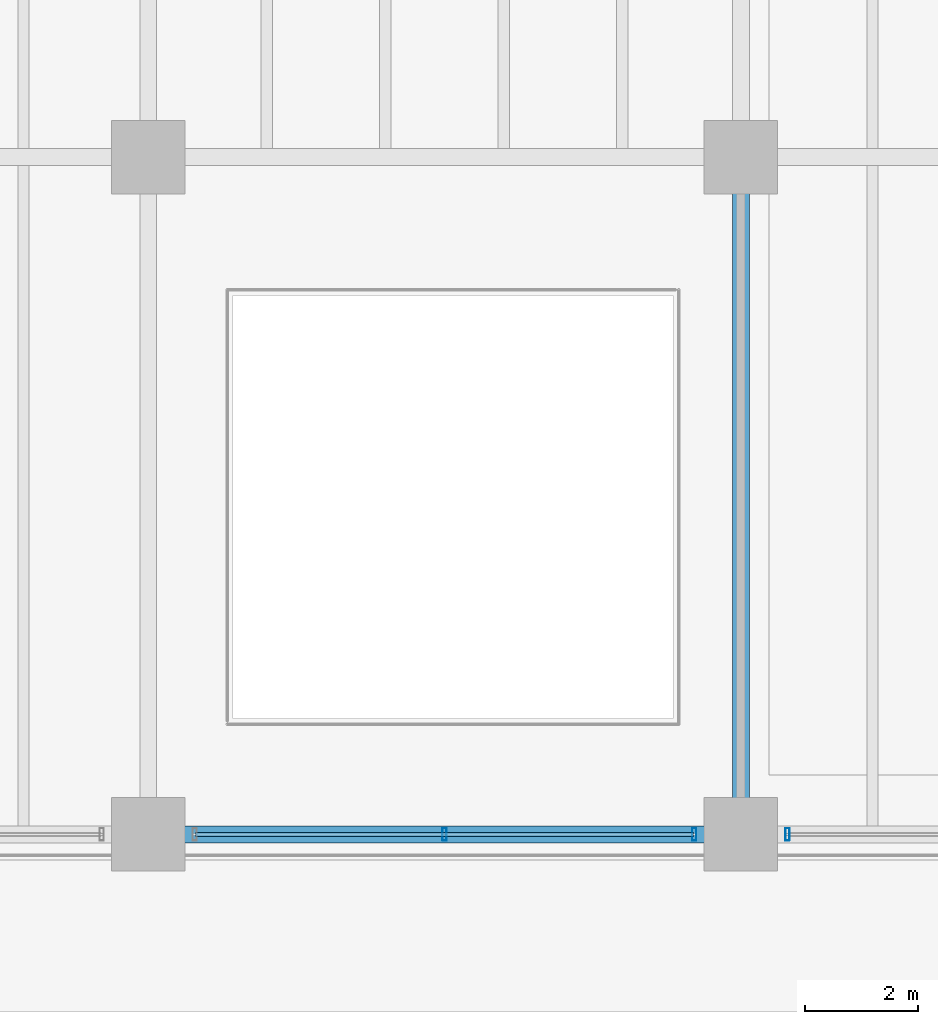
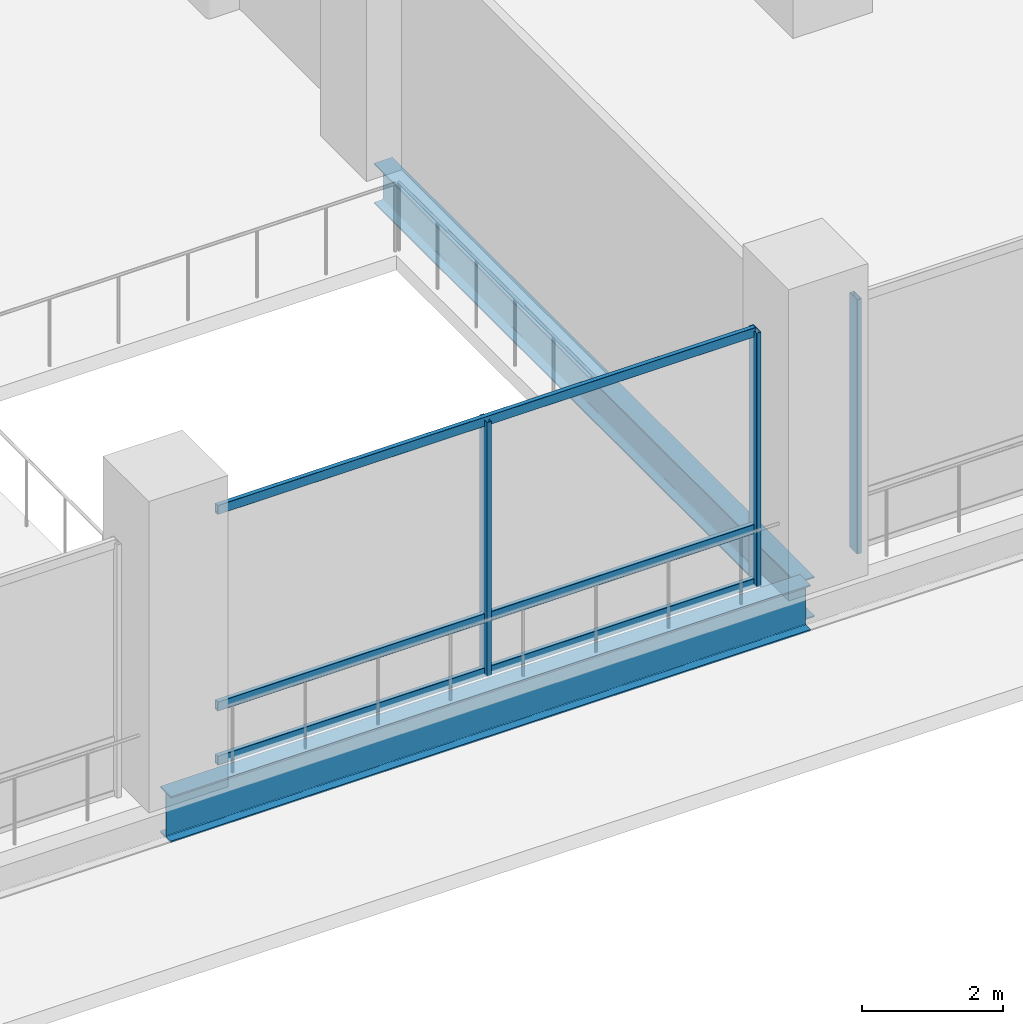
# One storey, part 5 of 32: 6 members, 2 beams, 2 elements without a shape of their own.
"""IFC4 building model written with IfcOpenShell, lengths in metres."""

import ifcopenshell
import ifcopenshell.guid

model = None  # the IFC model being written
_history = None  # IfcOwnerHistory: only IFC2X3 demands one
_inside = {}  # id of a spatial element -> (the spatial element, [elements in it])
_under = {}  # id of a project, library or spatial element -> (it, [spatial elements below it])
_declared = {}  # id of a project -> (the project, [libraries it declares])
_typed = {}  # id of a type object -> (the type object, [elements of that type])
_made_of = {}  # id of a material, layer set ... -> (it, [elements and type objects made of it])


def new_model(schema):
    """Start an empty IFC model of exactly this schema.

    Asked for "IFC4X3", IfcOpenShell would pick the latest addendum, in which some entities
    have other attributes; the version numbers below select the first issue.
    IFC2X3 requires an IfcOwnerHistory on every rooted entity: one is made here for all.
    """
    global model, _history
    if schema == "IFC4X3":
        model = ifcopenshell.file(schema_version=(4, 3, 0, 0))
    else:
        model = ifcopenshell.file(schema=schema)
    _inside.clear()
    _under.clear()
    _declared.clear()
    _typed.clear()
    _made_of.clear()
    _history = None
    if model.schema == "IFC2X3":
        org = make("IfcOrganization", Name="unknown")
        user = make(
            "IfcPersonAndOrganization",
            ThePerson=make("IfcPerson", FamilyName="unknown"),
            TheOrganization=org,
        )
        app = make(
            "IfcApplication",
            ApplicationDeveloper=org,
            Version="unknown",
            ApplicationFullName="unknown",
            ApplicationIdentifier="unknown",
        )
        _history = make(
            "IfcOwnerHistory",
            OwningUser=user,
            OwningApplication=app,
            ChangeAction="ADDED",
            CreationDate=0,
        )
    return model


def make(cls, **values):
    """One entity of the class cls with the attributes given. An attribute that is None is left unset."""
    return model.create_entity(
        cls, **{name: value for name, value in values.items() if value is not None}
    )


def rooted(cls, **values):
    """An entity with a GlobalId (a new one), such as an element, a storey or a relation."""
    return make(cls, GlobalId=ifcopenshell.guid.new(), OwnerHistory=_history, **values)


def si_unit(unit_type, name, prefix=None):
    """IfcSIUnit, for example si_unit("LENGTHUNIT", "METRE", prefix="MILLI")."""
    return make("IfcSIUnit", UnitType=unit_type, Prefix=prefix, Name=name)


def assignment(units):
    """IfcUnitAssignment: the units of a project."""
    return None if units is None else make("IfcUnitAssignment", Units=units)


def point(xyz):
    """IfcCartesianPoint."""
    return None if xyz is None else make("IfcCartesianPoint", Coordinates=xyz)


def direction(xyz):
    """IfcDirection."""
    return None if xyz is None else make("IfcDirection", DirectionRatios=xyz)


def frame(location, z_axis=None, x_axis=None):
    """IfcAxis2Placement3D, a coordinate frame: its origin and axes. An axis left out is left unset."""
    return make(
        "IfcAxis2Placement3D",
        Location=point(location),
        Axis=direction(z_axis),
        RefDirection=direction(x_axis),
    )


def frame_2d(location, x_axis=None):
    """IfcAxis2Placement2D, a coordinate frame in the plane: its origin and x axis."""
    return make(
        "IfcAxis2Placement2D", Location=point(location), RefDirection=direction(x_axis)
    )


def origin():
    """The frame at (0, 0, 0) with its axes left unset."""
    return frame((0.0, 0.0, 0.0))


def origin_2d():
    """The frame at (0, 0) in the plane with its x axis left unset."""
    return frame_2d((0.0, 0.0))


def place(relative_to, where):
    """IfcLocalPlacement: puts the frame where relative to a parent placement (None: the world)."""
    return make(
        "IfcLocalPlacement", PlacementRelTo=relative_to, RelativePlacement=where
    )


def context(
    kind, dimensions, precision=None, world=None, true_north=None, identifier=None
):
    """IfcGeometricRepresentationContext, for example the 3D "Model" context."""
    return make(
        "IfcGeometricRepresentationContext",
        ContextIdentifier=identifier,
        ContextType=kind,
        CoordinateSpaceDimension=dimensions,
        Precision=precision,
        WorldCoordinateSystem=world,
        TrueNorth=true_north,
    )


def subcontext(parent, identifier, kind, view, scale=None):
    """IfcGeometricRepresentationSubContext, for example "Body" below "Model"."""
    return make(
        "IfcGeometricRepresentationSubContext",
        ContextIdentifier=identifier,
        ContextType=kind,
        ParentContext=parent,
        TargetScale=scale,
        TargetView=view,
    )


def project(units=None, contexts=None):
    """IfcProject with its units and contexts."""
    return rooted(
        "IfcProject",
        Name="project",
        RepresentationContexts=contexts,
        UnitsInContext=assignment(units),
    )


def spatial(cls, under=None, at=None, **own):
    """A site, building, storey or space (cls), placed at a placement, below another one or the project."""
    s = rooted(cls, ObjectPlacement=at, **own)
    if under is not None:
        _under.setdefault(under.id(), (under, []))[1].append(s)
    return s


def profile(cls, at=None, kind="AREA", **sizes):
    """A parametric profile (cls). Its sizes go by their IFC names, for example OverallWidth=200.0."""
    return make(cls, ProfileType=kind, Position=at, **sizes)


def hollow_rectangle(**sizes):
    """IfcRectangleHollowProfileDef."""
    return profile("IfcRectangleHollowProfileDef", **sizes)


def i_section(**sizes):
    """IfcIShapeProfileDef."""
    return profile("IfcIShapeProfileDef", **sizes)


def extrude(swept, where, along, depth):
    """IfcExtrudedAreaSolid: the profile swept, set in the frame where, extruded along a direction by depth."""
    return make(
        "IfcExtrudedAreaSolid",
        SweptArea=swept,
        Position=where,
        ExtrudedDirection=direction(along),
        Depth=depth,
    )


def shape(context_of_items, identifier, shape_type, items):
    """IfcShapeRepresentation: the items that make up one representation, for example the "Body"."""
    return make(
        "IfcShapeRepresentation",
        ContextOfItems=context_of_items,
        RepresentationIdentifier=identifier,
        RepresentationType=shape_type,
        Items=items,
    )


def material(Name=None, Category=None):
    """IfcMaterial."""
    return make("IfcMaterial", Name=Name, Category=Category)


def material_profile(
    of_material, cross_section, Name=None, Category=None, Priority=None
):
    """IfcMaterialProfile: a cross section and its material."""
    return make(
        "IfcMaterialProfile",
        Name=Name,
        Material=of_material,
        Profile=cross_section,
        Priority=Priority,
        Category=Category,
    )


def profile_set(profiles, Name=None, composite=None):
    """IfcMaterialProfileSet."""
    return make(
        "IfcMaterialProfileSet",
        Name=Name,
        MaterialProfiles=profiles,
        CompositeProfile=composite,
    )


def made_of(thing, what):
    """Note that an element or type object is made of a material, layer set ...; save() writes the relation."""
    if what is not None:
        _made_of.setdefault(what.id(), (what, []))[1].append(thing)
    return thing


def type_object(cls, material=None, **own):
    """A type object (cls), such as IfcWallType, which elements share."""
    return made_of(rooted(cls, **own), material)


def element(
    cls,
    number,
    at=None,
    inside=None,
    cuts=None,
    type_object=None,
    material=None,
    context=None,
    identifier="Body",
    shape_type=None,
    held_by="IfcProductDefinitionShape",
    body=None,
    shapes=None,
    **own,
):
    """One element of the class cls, such as IfcWall. Its Tag is "e" and its number.

    at: its placement. inside: the storey or other place that contains it. cuts: it is an
    opening in that element (IfcRelVoidsElement). A single representation is given by context,
    identifier, shape_type and body (its items); several are given by shapes. held_by: the class
    of the entity that holds the representations. save() writes the other relations.
    """
    e = rooted(cls, Tag="e%d" % number, ObjectPlacement=at, **own)
    if body is not None:
        shapes = [shape(context, identifier, shape_type, body)]
    if shapes is not None:
        e.Representation = make(held_by, Representations=shapes)
    if inside is not None:
        _inside.setdefault(inside.id(), (inside, []))[1].append(e)
    if cuts is not None:
        rooted(
            "IfcRelVoidsElement", RelatingBuildingElement=cuts, RelatedOpeningElement=e
        )
    if type_object is not None:
        _typed.setdefault(type_object.id(), (type_object, []))[1].append(e)
    return made_of(e, material)


def aggregate(whole, parts):
    """IfcRelAggregates: a whole, such as a stair, and the parts it consists of."""
    return rooted("IfcRelAggregates", RelatingObject=whole, RelatedObjects=parts)


def save(model, path):
    """Write the relations noted so far, then the file.

    IfcRelAggregates (storeys below a building ...), IfcRelContainedInSpatialStructure (elements
    in a storey), IfcRelDefinesByType, IfcRelAssociatesMaterial and IfcRelDeclares: one each for
    every whole, place, type object, material and project.
    """
    for whole, parts in _under.values():
        aggregate(whole, parts)
    for where, things in _inside.values():
        rooted(
            "IfcRelContainedInSpatialStructure",
            RelatedElements=things,
            RelatingStructure=where,
        )
    for kind, things in _typed.values():
        rooted("IfcRelDefinesByType", RelatedObjects=things, RelatingType=kind)
    for what, things in _made_of.values():
        rooted("IfcRelAssociatesMaterial", RelatedObjects=things, RelatingMaterial=what)
    for by, libraries in _declared.values():
        rooted("IfcRelDeclares", RelatingContext=by, RelatedDefinitions=libraries)
    model.write(path)


model = new_model("IFC4")

# Units and contexts
model_context = context("Model", 3, precision=1e-05, world=origin(), true_north=direction((0.0, 1.0)))
body_context = subcontext(model_context, "Body", "Model", "MODEL_VIEW")
ifc_project = project(units=[si_unit("LENGTHUNIT", "METRE"), si_unit("AREAUNIT", "SQUARE_METRE"), si_unit("VOLUMEUNIT", "CUBIC_METRE"), si_unit("PLANEANGLEUNIT", "RADIAN"), si_unit("MASSUNIT", "GRAM", prefix="KILO")], contexts=[model_context])

# Site, building, storey
site_placement = place(None, origin())
site = spatial("IfcSite", under=ifc_project, at=site_placement, CompositionType="ELEMENT")
building_placement = place(site_placement, origin())
building = spatial("IfcBuilding", under=site, at=building_placement, Name="Noeulbin Bourse Tower", CompositionType="ELEMENT")
storey_placement = place(building_placement, frame((0.0, 0.0, 5.800048828125)))
storey = spatial("IfcBuildingStorey", under=building, at=storey_placement, Name="L02", CompositionType="ELEMENT", Elevation=5.800048828125)

# Beams
ifc_material_1 = material(Name="Steel S355", Category="steel")
ifc_material_profile_1 = material_profile(ifc_material_1, i_section(OverallWidth=0.300048828125, OverallDepth=0.699951171875, WebThickness=0.012939453125, FlangeThickness=0.02392578125, FilletRadius=0.02392578125, at=origin_2d()), Name="H-700x300x13x24", Category="LoadBearing")
ifc_profile_set_1 = profile_set([ifc_material_profile_1], Name="Steel S355")
beam_type_1 = type_object("IfcBeamType", Name="BM-GRD-700", PredefinedType="USERDEFINED", material=ifc_profile_set_1)
beam_1_placement = place(storey_placement, frame((24.0, 3.449951171875, -0.60009765625), z_axis=(0.0, 1.0, 0.0), x_axis=(-1.0, 0.0, 0.0)))
element("IfcBeam", 1, at=beam_1_placement, inside=storey, type_object=beam_type_1, Name="Podium Primary Girder NS L02-075", ObjectType="GIRDER", PredefinedType="USERDEFINED", context=body_context, shape_type="SweptSolid", body=[
    extrude(i_section(OverallWidth=0.300048828125, OverallDepth=0.699951171875, WebThickness=0.012939453125, FlangeThickness=0.02392578125, FilletRadius=0.02392578125, at=origin_2d()), origin(), (0.0, 0.0, 1.0), 12.0),
])
ifc_material_profile_2 = material_profile(ifc_material_1, i_section(OverallWidth=0.300048828125, OverallDepth=0.800048828125, WebThickness=0.013916015625, FlangeThickness=0.02587890625, FilletRadius=0.02587890625, at=origin_2d()), Name="H-800x300x14x26", Category="LoadBearing")
ifc_profile_set_2 = profile_set([ifc_material_profile_2], Name="Steel S355")
beam_type_2 = type_object("IfcBeamType", Name="BM-GRD-800", PredefinedType="USERDEFINED", material=ifc_profile_set_2)
beam_2_placement = place(storey_placement, frame((13.5, 3.449951171875, -0.650146484375), z_axis=(1.0, 0.0, 0.0), x_axis=(0.0, 1.0, 0.0)))
element("IfcBeam", 2, at=beam_2_placement, inside=storey, type_object=beam_type_2, Name="Podium Primary Girder EW L02-003", ObjectType="GIRDER", PredefinedType="USERDEFINED", context=body_context, shape_type="SweptSolid", body=[
    extrude(i_section(OverallWidth=0.300048828125, OverallDepth=0.800048828125, WebThickness=0.013916015625, FlangeThickness=0.02587890625, FilletRadius=0.02587890625, at=origin_2d()), origin(), (0.0, 0.0, 1.0), 10.5),
])

# Curtain wall, members
ifc_material_2 = material(Name="Laminated Clear Low-E Glass", Category="glass")
curtain_wall_type = type_object("IfcCurtainWallType", Name="CW-SYS-1", PredefinedType="NOTDEFINED", material=ifc_material_2)
curtain_wall_1_placement = place(storey_placement, origin())
curtain_wall_1 = element("IfcCurtainWall", 3, at=curtain_wall_1_placement, inside=storey, type_object=curtain_wall_type, Name="Unitised Curtain Wall CW-L02-POD-S-S2", PredefinedType="NOTDEFINED")
ifc_material_3 = material(Name="Anodised Aluminium 6063-T6", Category="aluminium")
ifc_material_profile_3 = material_profile(ifc_material_3, hollow_rectangle(XDim=0.074951171875, YDim=0.219970703125, WallThickness=0.0048828125, InnerFilletRadius=0.00244140625, OuterFilletRadius=0.0048828125, at=origin_2d()), Name="ALU-MULL-75x220x5", Category="LoadBearing")
ifc_profile_set_3 = profile_set([ifc_material_profile_3], Name="Anodised Aluminium 6063-T6")
member_type_1 = type_object("IfcMemberType", Name="CW-SYS-1-MUL", PredefinedType="MULLION", material=ifc_profile_set_3)
member_1_placement = place(storey_placement, frame((18.75, 3.449951171875, -0.02001953125), z_axis=(0.0, 0.0, 1.0), x_axis=(1.0, 0.0, 0.0)))
member_1 = element("IfcMember", 4, at=member_1_placement, type_object=member_type_1, Name="Curtain Wall Mullion CW-L02-POD-S-S2-M01", PredefinedType="MULLION", context=body_context, shape_type="SweptSolid", body=[
    extrude(hollow_rectangle(XDim=0.074951171875, YDim=0.219970703125, WallThickness=0.0048828125, InnerFilletRadius=0.00244140625, OuterFilletRadius=0.0048828125, at=origin_2d()), origin(), (0.0, 0.0, 1.0), 4.409912109375),
])
member_2_placement = place(storey_placement, frame((23.175048828125, 3.449951171875, -0.02001953125), z_axis=(0.0, 0.0, 1.0), x_axis=(1.0, 0.0, 0.0)))
member_2 = element("IfcMember", 5, at=member_2_placement, type_object=member_type_1, Name="Curtain Wall Mullion CW-L02-POD-S-S2-M02", PredefinedType="MULLION", context=body_context, shape_type="SweptSolid", body=[
    extrude(hollow_rectangle(XDim=0.074951171875, YDim=0.219970703125, WallThickness=0.0048828125, InnerFilletRadius=0.00244140625, OuterFilletRadius=0.0048828125, at=origin_2d()), origin(), (0.0, 0.0, 1.0), 4.409912109375),
])

# Curtain wall, member
curtain_wall_2_placement = place(storey_placement, origin())
curtain_wall_2 = element("IfcCurtainWall", 6, at=curtain_wall_2_placement, inside=storey, type_object=curtain_wall_type, Name="Unitised Curtain Wall CW-L02-POD-S-S3", PredefinedType="NOTDEFINED")
member_3_placement = place(storey_placement, frame((24.824951171875, 3.449951171875, -0.02001953125), z_axis=(0.0, 0.0, 1.0), x_axis=(1.0, 0.0, 0.0)))
member_3 = element("IfcMember", 7, at=member_3_placement, type_object=member_type_1, Name="Curtain Wall Mullion CW-L02-POD-S-S3-M00", PredefinedType="MULLION", context=body_context, shape_type="SweptSolid", body=[
    extrude(hollow_rectangle(XDim=0.074951171875, YDim=0.219970703125, WallThickness=0.0048828125, InnerFilletRadius=0.00244140625, OuterFilletRadius=0.0048828125, at=origin_2d()), origin(), (0.0, 0.0, 1.0), 4.409912109375),
])
aggregate(curtain_wall_2, [member_3])

# Member
ifc_material_profile_4 = material_profile(ifc_material_3, hollow_rectangle(XDim=0.074951171875, YDim=0.159912109375, WallThickness=0.0048828125, InnerFilletRadius=0.00244140625, OuterFilletRadius=0.0048828125, at=origin_2d()), Name="ALU-TRAN-75x160x5", Category="LoadBearing")
ifc_profile_set_4 = profile_set([ifc_material_profile_4], Name="Anodised Aluminium 6063-T6")
member_type_2 = type_object("IfcMemberType", Name="CW-SYS-1-TRN", PredefinedType="USERDEFINED", material=ifc_profile_set_4)
member_4_placement = place(storey_placement, frame((14.3349609375, 3.449951171875, 0.010009765625), z_axis=(1.0, 0.0, 0.0), x_axis=(0.0, 1.0, 0.0)))
member_4 = element("IfcMember", 8, at=member_4_placement, type_object=member_type_2, Name="Curtain Wall Transom CW-L02-POD-S-S2-T00", ObjectType="TRANSOM", PredefinedType="USERDEFINED", context=body_context, shape_type="SweptSolid", body=[
    extrude(hollow_rectangle(XDim=0.074951171875, YDim=0.159912109375, WallThickness=0.0048828125, InnerFilletRadius=0.00244140625, OuterFilletRadius=0.0048828125, at=origin_2d()), origin(), (0.0, 0.0, 1.0), 8.830078125),
])

member_5_placement = place(storey_placement, frame((14.3349609375, 3.449951171875, 0.949951171875), z_axis=(1.0, 0.0, 0.0), x_axis=(0.0, 1.0, 0.0)))
member_5 = element("IfcMember", 9, at=member_5_placement, type_object=member_type_2, Name="Curtain Wall Transom CW-L02-POD-S-S2-T01", ObjectType="TRANSOM", PredefinedType="USERDEFINED", context=body_context, shape_type="SweptSolid", body=[
    extrude(hollow_rectangle(XDim=0.074951171875, YDim=0.159912109375, WallThickness=0.0048828125, InnerFilletRadius=0.00244140625, OuterFilletRadius=0.0048828125, at=origin_2d()), origin(), (0.0, 0.0, 1.0), 8.830078125),
])

member_6_placement = place(storey_placement, frame((14.3349609375, 3.449951171875, 4.35986328125), z_axis=(1.0, 0.0, 0.0), x_axis=(0.0, 1.0, 0.0)))
member_6 = element("IfcMember", 10, at=member_6_placement, type_object=member_type_2, Name="Curtain Wall Transom CW-L02-POD-S-S2-T02", ObjectType="TRANSOM", PredefinedType="USERDEFINED", context=body_context, shape_type="SweptSolid", body=[
    extrude(hollow_rectangle(XDim=0.074951171875, YDim=0.159912109375, WallThickness=0.0048828125, InnerFilletRadius=0.00244140625, OuterFilletRadius=0.0048828125, at=origin_2d()), origin(), (0.0, 0.0, 1.0), 8.830078125),
])

aggregate(curtain_wall_1, [member_1, member_2, member_4, member_5, member_6])

save(model, "model.ifc")
